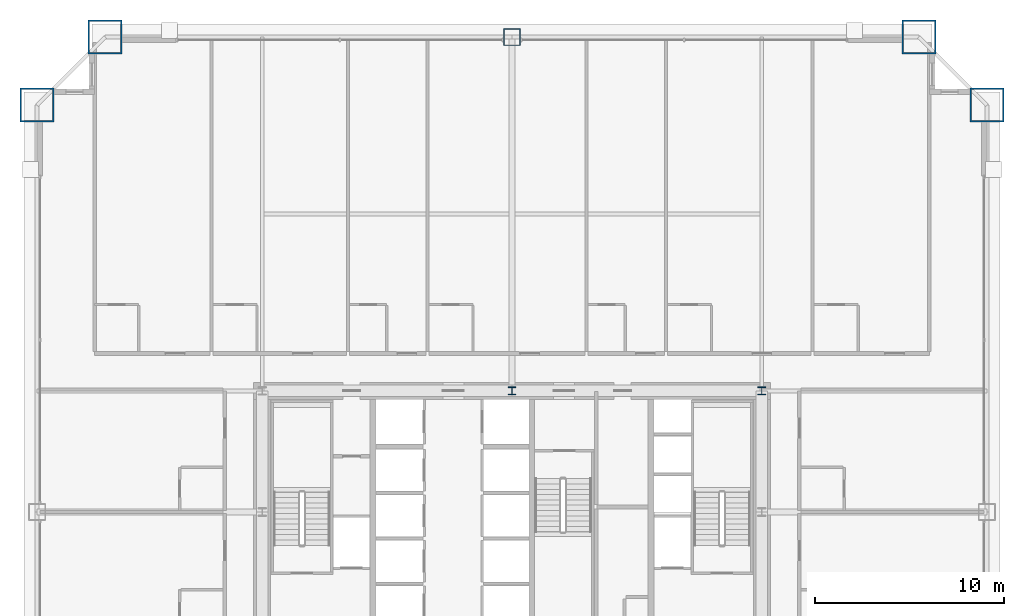
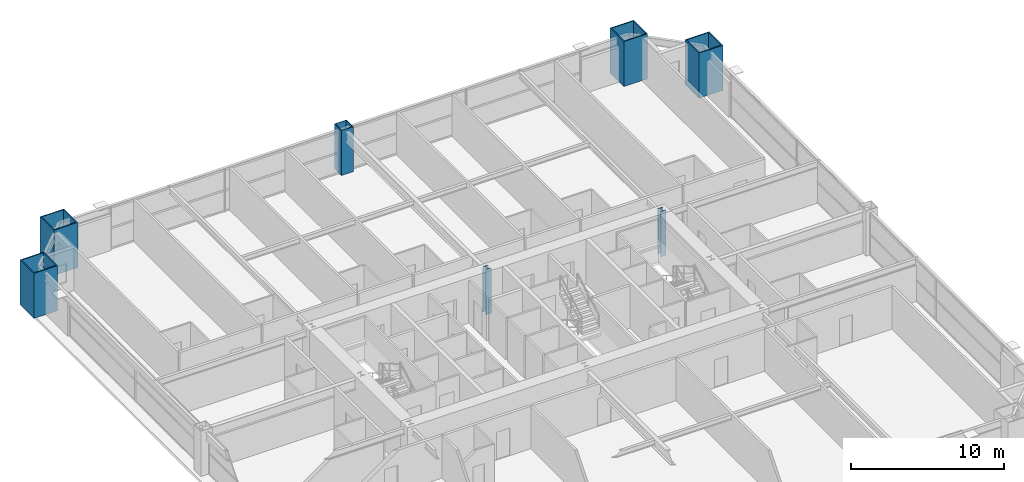
# One storey, part 2 of 45: 7 columns.
"""IFC4 building model written with IfcOpenShell, lengths in metres."""

from ifc_helpers import new_model, si_unit, direction, frame, origin, origin_2d, place, context, subcontext, project, spatial, hollow_rectangle, i_section, extrude, source, transform, mapped, material, material_profile, profile_set, type_object, element, save


model = new_model("IFC4")

# Units and contexts
model_context = context("Model", 3, precision=1e-05, world=origin(), true_north=direction((0.0, 1.0)))
body_context = subcontext(model_context, "Body", "Model", "MODEL_VIEW")
ifc_project = project(units=[si_unit("LENGTHUNIT", "METRE"), si_unit("AREAUNIT", "SQUARE_METRE"), si_unit("VOLUMEUNIT", "CUBIC_METRE"), si_unit("PLANEANGLEUNIT", "RADIAN"), si_unit("MASSUNIT", "GRAM", prefix="KILO"), si_unit("THERMODYNAMICTEMPERATUREUNIT", "KELVIN"), si_unit("POWERUNIT", "WATT")], contexts=[model_context])

# Site, building, storey
site_placement = place(None, origin())
site = spatial("IfcSite", under=ifc_project, at=site_placement, CompositionType="ELEMENT")
building_placement = place(site_placement, origin())
building = spatial("IfcBuilding", under=site, at=building_placement, Name="Yuzanri Waterfront Tower", CompositionType="ELEMENT")
storey_placement = place(building_placement, frame((0.0, 0.0, 49.60009765625)))
storey = spatial("IfcBuildingStorey", under=building, at=storey_placement, Name="L12", CompositionType="ELEMENT", Elevation=49.60009765625)

# Columns
ifc_material_1 = material(Name="Steel Q355B", Category="steel")
ifc_material_profile_1 = material_profile(ifc_material_1, i_section(OverallWidth=0.406982421875, OverallDepth=0.427978515625, WebThickness=0.02001953125, FlangeThickness=0.034912109375, at=origin_2d()), Name="HW 428x407x20x35")
ifc_profile_set_1 = profile_set([ifc_material_profile_1], Name="Steel Q355B")
column_type_1 = type_object("IfcColumnType", Name="Core Post Q355B HW 428x407x20x35", PredefinedType="COLUMN", material=ifc_profile_set_1)
shared_shape_1 = source(origin(), body_context, "Body", "SweptSolid", [
    extrude(i_section(OverallWidth=0.406982421875, OverallDepth=0.427978515625, WebThickness=0.02001953125, FlangeThickness=0.034912109375, at=origin_2d()), origin(), (0.0, 0.0, 1.0), 3.599853515625),
])
for number, where, z_axis, x_axis, name in (
    (1, (37.0, 32.199951171875, 0.0), (0.0, 0.0, 1.0), (1.0, 0.0, 0.0), "L12 Core Boundary Column CP7"),
    (2, (50.199951171875, 32.199951171875, 0.0), (0.0, 0.0, 1.0), (1.0, 0.0, 0.0), "L12 Core Boundary Column CP8"),
):
    element("IfcColumn", number, at=place(storey_placement, frame(where, z_axis=z_axis, x_axis=x_axis)), inside=storey, type_object=column_type_1, Name=name, PredefinedType="COLUMN", context=body_context, shape_type="MappedRepresentation", body=[
        mapped(shared_shape_1, transform((0.0, 0.0, 0.0), scale=1.0)),
    ])
ifc_material_2 = material(Name="Steel Q420GJC", Category="steel")
ifc_material_profile_2 = material_profile(ifc_material_2, hollow_rectangle(XDim=1.800048828125, YDim=1.800048828125, WallThickness=0.080078125, at=origin_2d()), Name="RHS 1800x1800x80")
ifc_profile_set_2 = profile_set([ifc_material_profile_2], Name="Steel Q420GJC")
column_type_2 = type_object("IfcColumnType", Name="Mega Column Q420GJC RHS 1800x1800x80", PredefinedType="COLUMN", material=ifc_profile_set_2)
shared_shape_2 = source(origin(), body_context, "Body", "SweptSolid", [
    extrude(hollow_rectangle(XDim=1.800048828125, YDim=1.800048828125, WallThickness=0.080078125, at=origin_2d()), origin(), (0.0, 0.0, 1.0), 3.599853515625),
])
for number, where, z_axis, x_axis, name in (
    (3, (15.5, 50.89990234375, 0.0), (0.0, 0.0, 1.0), (1.0, 0.0, 0.0), "L12 Perimeter Mega Column N1"),
    (4, (58.5, 50.89990234375, 0.0), (0.0, 0.0, 1.0), (1.0, 0.0, 0.0), "L12 Perimeter Mega Column N3"),
    (5, (11.89990234375, 47.300048828125, 0.0), (0.0, 0.0, 1.0), (1.0, 0.0, 0.0), "L12 Perimeter Mega Column W3"),
    (6, (62.10009765625, 47.300048828125, 0.0), (0.0, 0.0, 1.0), (1.0, 0.0, 0.0), "L12 Perimeter Mega Column E3"),
):
    element("IfcColumn", number, at=place(storey_placement, frame(where, z_axis=z_axis, x_axis=x_axis)), inside=storey, type_object=column_type_2, Name=name, PredefinedType="COLUMN", context=body_context, shape_type="MappedRepresentation", body=[
        mapped(shared_shape_2, transform((0.0, 0.0, 0.0), scale=1.0)),
    ])
ifc_material_3 = material(Name="Steel Q390GJC", Category="steel")
ifc_material_profile_3 = material_profile(ifc_material_3, hollow_rectangle(XDim=0.89990234375, YDim=0.89990234375, WallThickness=0.0419921875, at=origin_2d()), Name="RHS 900x900x42")
ifc_profile_set_3 = profile_set([ifc_material_profile_3], Name="Steel Q390GJC")
column_type_3 = type_object("IfcColumnType", Name="Frame Column Q390GJC RHS 900x900x42", PredefinedType="COLUMN", material=ifc_profile_set_3)
shared_shape_3 = source(origin(), body_context, "Body", "SweptSolid", [
    extrude(hollow_rectangle(XDim=0.89990234375, YDim=0.89990234375, WallThickness=0.0419921875, at=origin_2d()), origin(), (0.0, 0.0, 1.0), 3.599853515625),
])
column_placement = place(storey_placement, frame((37.0, 50.89990234375, 0.0), z_axis=(0.0, 0.0, 1.0), x_axis=(1.0, 0.0, 0.0)))
element("IfcColumn", 7, at=column_placement, inside=storey, type_object=column_type_3, Name="L12 Perimeter Frame Column N2", PredefinedType="COLUMN", context=body_context, shape_type="MappedRepresentation", body=[
    mapped(shared_shape_3, transform((0.0, 0.0, 0.0), scale=1.0)),
])

save(model, "model.ifc")
